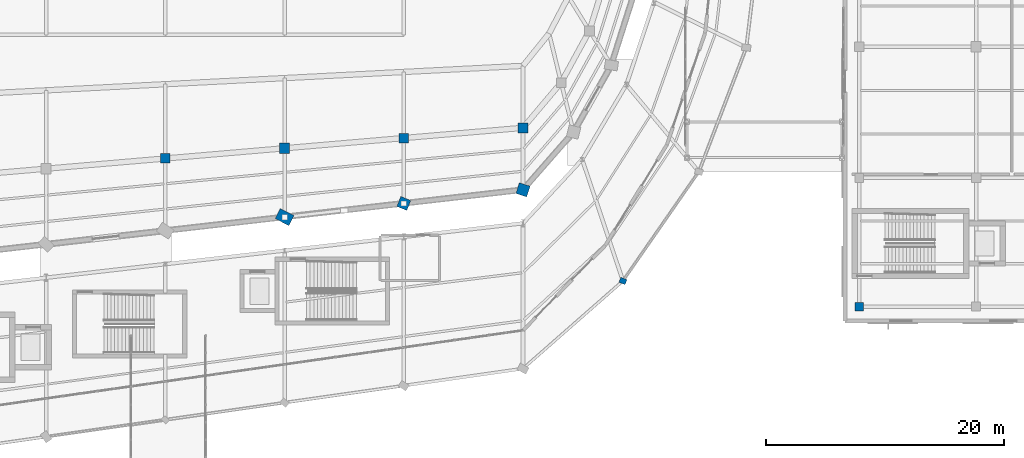
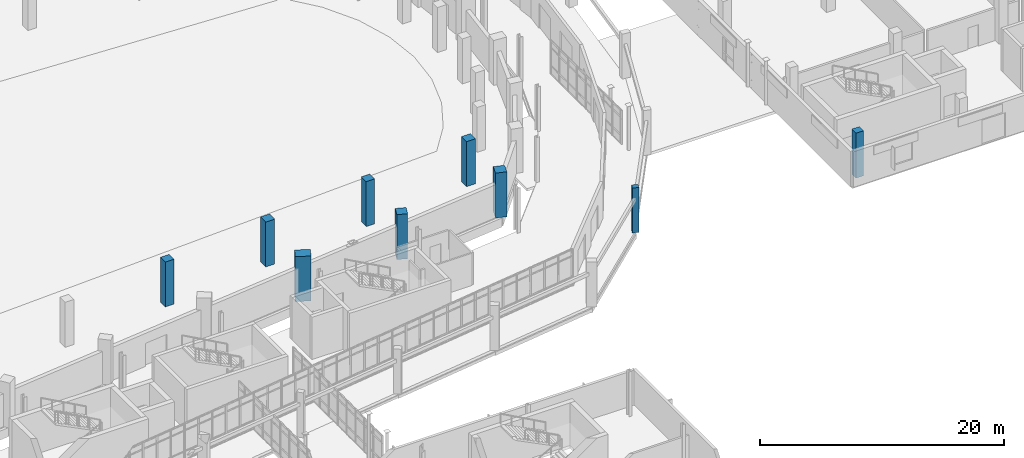
# One storey, part 20 of 122: 9 columns.
"""IFC4 building model written with IfcOpenShell, lengths in metres."""

from ifc_helpers import new_model, si_unit, direction, frame, origin, origin_2d, place, context, subcontext, project, spatial, rectangle, extrude, material, material_profile, profile_set, type_object, element, save


model = new_model("IFC4")

# Units and contexts
model_context = context("Model", 3, precision=1e-05, world=origin(), true_north=direction((0.0, 1.0)))
body_context = subcontext(model_context, "Body", "Model", "MODEL_VIEW")
ifc_project = project(units=[si_unit("LENGTHUNIT", "METRE"), si_unit("AREAUNIT", "SQUARE_METRE"), si_unit("VOLUMEUNIT", "CUBIC_METRE"), si_unit("PLANEANGLEUNIT", "RADIAN"), si_unit("MASSUNIT", "GRAM", prefix="KILO")], contexts=[model_context])

# Site, building, storey
site_placement = place(None, origin())
site = spatial("IfcSite", under=ifc_project, at=site_placement, CompositionType="ELEMENT")
building_placement = place(site_placement, origin())
building = spatial("IfcBuilding", under=site, at=building_placement, Name="Sohan Crest Arena", CompositionType="ELEMENT")
storey_placement = place(building_placement, origin())
storey = spatial("IfcBuildingStorey", under=building, at=storey_placement, Name="L00", CompositionType="ELEMENT", Elevation=0.0)

# Columns
ifc_material = material(Name="Concrete C40/50", Category="concrete")
ifc_material_profile_1 = material_profile(ifc_material, rectangle(XDim=0.699951171875, YDim=0.699951171875, at=origin_2d()), Name="RC 700x700")
ifc_profile_set_1 = profile_set([ifc_material_profile_1], Name="Concrete C40/50")
column_type_1 = type_object("IfcColumnType", Name="STR-COL-C03", PredefinedType="COLUMN", material=ifc_profile_set_1)
column_1_placement = place(storey_placement, frame((196.199951171875, 45.199951171875, 0.0), z_axis=(0.0, 0.0, 1.0), x_axis=(1.0, 0.0, 0.0)))
element("IfcColumn", 1, at=column_1_placement, inside=storey, type_object=column_type_1, Name="Structural column COL-V4S-11-L00", PredefinedType="COLUMN", context=body_context, shape_type="SweptSolid", body=[
    extrude(rectangle(XDim=0.699951171875, YDim=0.699951171875, at=origin_2d()), origin(), (0.0, 0.0, 1.0), 4.5),
])
ifc_material_profile_2 = material_profile(ifc_material, rectangle(XDim=0.800048828125, YDim=0.800048828125, at=origin_2d()), Name="RC 800x800")
ifc_profile_set_2 = profile_set([ifc_material_profile_2], Name="Concrete C40/50")
column_type_2 = type_object("IfcColumnType", Name="STR-COL-C05", PredefinedType="COLUMN", material=ifc_profile_set_2)
for number, where, z_axis, x_axis, name in (
    (2, (138.0, 57.62890625, 0.0), (0.0, 0.0, 1.0), (1.0, 0.0, 0.0), "Structural column COL-V1M-17-L00"),
    (3, (158.0, 59.343017578125, 0.0), (0.0, 0.0, 1.0), (1.0, 0.0, 0.0), "Structural column COL-V1M-19-L00"),
):
    element("IfcColumn", number, at=place(storey_placement, frame(where, z_axis=z_axis, x_axis=x_axis)), inside=storey, type_object=column_type_2, Name=name, PredefinedType="COLUMN", context=body_context, shape_type="SweptSolid", body=[
        extrude(rectangle(XDim=0.800048828125, YDim=0.800048828125, at=origin_2d()), origin(), (0.0, 0.0, 1.0), 4.5),
    ])
ifc_material_profile_3 = material_profile(ifc_material, rectangle(XDim=0.85009765625, YDim=0.85009765625, at=origin_2d()), Name="RC 850x850")
ifc_profile_set_3 = profile_set([ifc_material_profile_3], Name="Concrete C40/50")
column_type_3 = type_object("IfcColumnType", Name="STR-COL-C06", PredefinedType="COLUMN", material=ifc_profile_set_3)
for number, where, z_axis, x_axis, name in (
    (4, (148.0, 58.486083984375, 0.0), (0.0, 0.0, 1.0), (1.0, 0.0, 0.0), "Structural column COL-V1M-18-L00"),
    (5, (168.0, 60.199951171875, 0.0), (0.0, 0.0, 1.0), (1.0, 0.0, 0.0), "Structural column COL-V1M-20-L00"),
):
    element("IfcColumn", number, at=place(storey_placement, frame(where, z_axis=z_axis, x_axis=x_axis)), inside=storey, type_object=column_type_3, Name=name, PredefinedType="COLUMN", context=body_context, shape_type="SweptSolid", body=[
        extrude(rectangle(XDim=0.85009765625, YDim=0.85009765625, at=origin_2d()), origin(), (0.0, 0.0, 1.0), 4.5),
    ])
ifc_material_profile_4 = material_profile(ifc_material, rectangle(XDim=0.89990234375, YDim=0.89990234375, at=origin_2d()), Name="RC 900x900")
ifc_profile_set_4 = profile_set([ifc_material_profile_4], Name="Concrete C40/50")
column_type_4 = type_object("IfcColumnType", Name="STR-COL-C07", PredefinedType="COLUMN", material=ifc_profile_set_4)
column_2_placement = place(storey_placement, frame((158.0, 53.85693359375, 0.0), z_axis=(0.0, 0.0, 1.0), x_axis=(-0.927836253899, 0.372987782576, 0.0)))
element("IfcColumn", 6, at=column_2_placement, inside=storey, type_object=column_type_4, Name="Structural column COL-V1R-19-L00", PredefinedType="COLUMN", context=body_context, shape_type="SweptSolid", body=[
    extrude(rectangle(XDim=0.89990234375, YDim=0.89990234375, at=origin_2d()), origin(), (0.0, 0.0, 1.0), 4.5),
])
ifc_material_profile_5 = material_profile(ifc_material, rectangle(XDim=0.949951171875, YDim=0.949951171875, at=origin_2d()), Name="RC 950x950")
ifc_profile_set_5 = profile_set([ifc_material_profile_5], Name="Concrete C40/50")
column_type_5 = type_object("IfcColumnType", Name="STR-COL-C08", PredefinedType="COLUMN", material=ifc_profile_set_5)
column_3_placement = place(storey_placement, frame((168.0, 55.0, 0.0), z_axis=(0.0, 0.0, 1.0), x_axis=(-0.949972051525, 0.312334918512, 0.0)))
element("IfcColumn", 7, at=column_3_placement, inside=storey, type_object=column_type_5, Name="Structural column COL-V1R-20-L00", PredefinedType="COLUMN", context=body_context, shape_type="SweptSolid", body=[
    extrude(rectangle(XDim=0.949951171875, YDim=0.949951171875, at=origin_2d()), origin(), (0.0, 0.0, 1.0), 4.5),
])
ifc_material_profile_6 = material_profile(ifc_material, rectangle(XDim=1.300048828125, YDim=0.949951171875, at=origin_2d()), Name="RC 1300x950")
ifc_profile_set_6 = profile_set([ifc_material_profile_6], Name="Concrete C40/50")
column_type_6 = type_object("IfcColumnType", Name="STR-COL-C12", PredefinedType="COLUMN", material=ifc_profile_set_6)
column_4_placement = place(storey_placement, frame((148.0, 52.714111328125, 0.0), z_axis=(0.0, 0.0, 1.0), x_axis=(-0.892585818452, 0.450877540689, 0.0)))
element("IfcColumn", 8, at=column_4_placement, inside=storey, type_object=column_type_6, Name="Structural column COL-V1R-18-L00", PredefinedType="COLUMN", context=body_context, shape_type="SweptSolid", body=[
    extrude(rectangle(XDim=1.300048828125, YDim=0.949951171875, at=origin_2d()), origin(), (0.0, 0.0, 1.0), 4.5),
])
ifc_material_profile_7 = material_profile(ifc_material, rectangle(XDim=0.550048828125, YDim=0.449951171875, at=origin_2d()), Name="RC 550x450")
ifc_profile_set_7 = profile_set([ifc_material_profile_7], Name="Concrete C40/50")
column_type_7 = type_object("IfcColumnType", Name="STR-COL-PC01", PredefinedType="PILASTER", material=ifc_profile_set_7)
column_5_placement = place(storey_placement, frame((176.383056640625, 47.35498046875, 0.0), z_axis=(0.0, 0.0, 1.0), x_axis=(-0.931055815863, 0.364876784338, 0.0)))
element("IfcColumn", 9, at=column_5_placement, inside=storey, type_object=column_type_7, Name="Structural column COL-V2O-21-L00", PredefinedType="PILASTER", context=body_context, shape_type="SweptSolid", body=[
    extrude(rectangle(XDim=0.550048828125, YDim=0.449951171875, at=origin_2d()), origin(), (0.0, 0.0, 1.0), 4.5),
])

save(model, "model.ifc")
